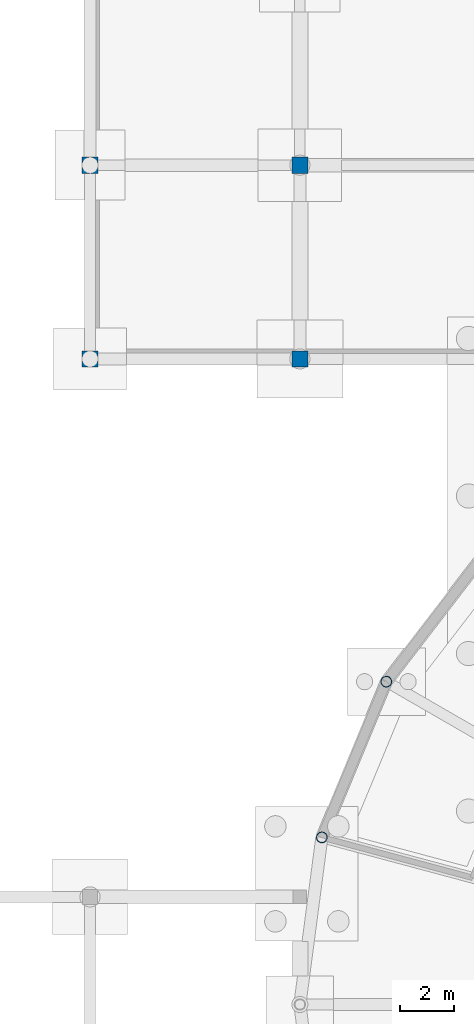
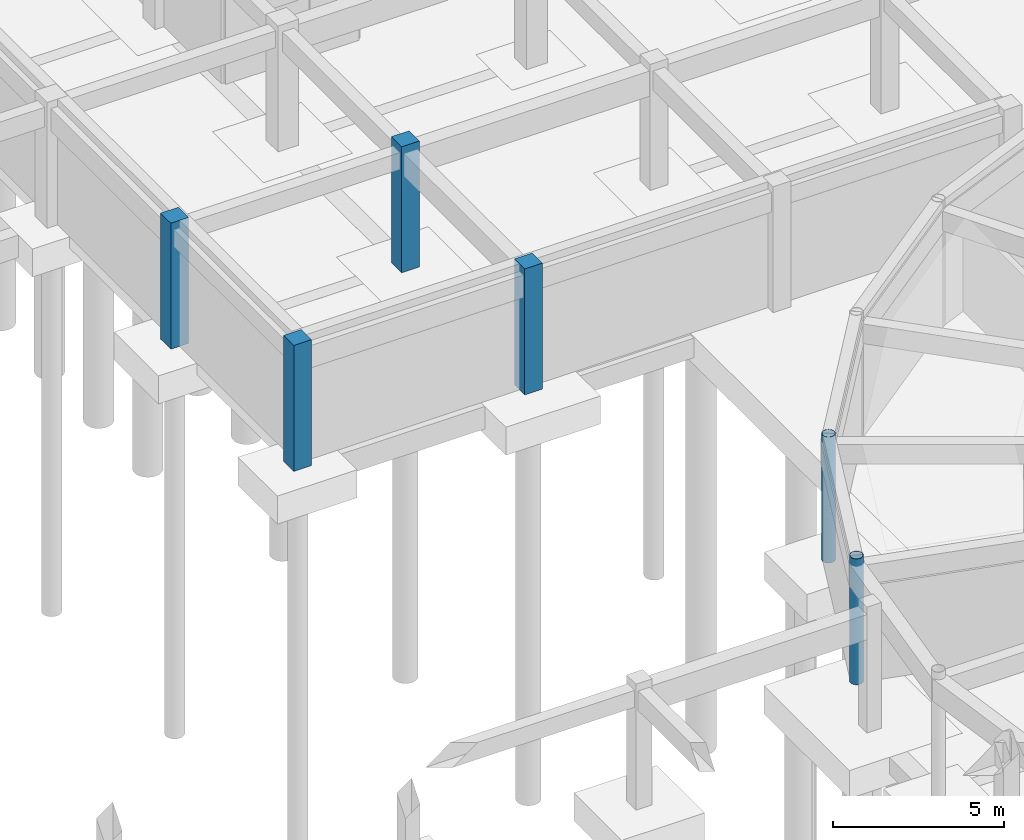
# One storey, part 17 of 43: 6 columns.
"""IFC4 building model written with IfcOpenShell, lengths in metres."""

from ifc_helpers import new_model, si_unit, derived_unit, direction, frame, origin, origin_2d, place, context, subcontext, project, spatial, rectangle, hollow_circle, extrude, material, material_profile, profile_set, type_object, element, save


model = new_model("IFC4")

# Units and contexts
model_context = context("Model", 3, precision=1e-05, world=origin(), true_north=direction((0.0, 1.0)))
body_context = subcontext(model_context, "Body", "Model", "MODEL_VIEW")
ifc_project = project(units=[si_unit("LENGTHUNIT", "METRE"), si_unit("AREAUNIT", "SQUARE_METRE"), si_unit("VOLUMEUNIT", "CUBIC_METRE"), si_unit("PLANEANGLEUNIT", "RADIAN"), si_unit("MASSUNIT", "GRAM", prefix="KILO"), derived_unit("THERMALTRANSMITTANCEUNIT", [(si_unit("POWERUNIT", "WATT"), 1), (si_unit("AREAUNIT", "SQUARE_METRE"), -1), (si_unit("THERMODYNAMICTEMPERATUREUNIT", "KELVIN"), -1)])], contexts=[model_context])

# Site, building, storey
site_placement = place(None, origin())
site = spatial("IfcSite", under=ifc_project, at=site_placement, CompositionType="ELEMENT")
building_placement = place(site_placement, origin())
building = spatial("IfcBuilding", under=site, at=building_placement, Name="Yasenodar Specialist Clinic", CompositionType="ELEMENT")
storey_placement = place(building_placement, frame((0.0, 0.0, -4.5)))
storey = spatial("IfcBuildingStorey", under=building, at=storey_placement, Name="B1", CompositionType="ELEMENT", Elevation=-4.5)

# Columns
ifc_material_1 = material(Name="Concrete C35/45", Category="concrete")
ifc_material_profile_1 = material_profile(ifc_material_1, rectangle(XDim=0.60009765625, YDim=0.60009765625, at=origin_2d()), Name="RC 600x600")
ifc_profile_set_1 = profile_set([ifc_material_profile_1], Name="Concrete C35/45")
column_type_1 = type_object("IfcColumnType", Name="COL-RC-600", PredefinedType="COLUMN", material=ifc_profile_set_1)
for number, where, z_axis, x_axis, name in (
    (1, (49.199951171875, 82.800048828125, 0.0), (0.0, 0.0, 1.0), (1.0, 0.0, 0.0), "B1 Column V5-081"),
    (2, (49.199951171875, 90.0, 0.0), (0.0, 0.0, 1.0), (1.0, 0.0, 0.0), "B1 Column V5-082"),
    (3, (57.0, 82.800048828125, 0.0), (0.0, 0.0, 1.0), (1.0, 0.0, 0.0), "B1 Column V5-088"),
    (4, (57.0, 90.0, 0.0), (0.0, 0.0, 1.0), (1.0, 0.0, 0.0), "B1 Column V5-089"),
):
    element("IfcColumn", number, at=place(storey_placement, frame(where, z_axis=z_axis, x_axis=x_axis)), inside=storey, type_object=column_type_1, Name=name, PredefinedType="COLUMN", context=body_context, shape_type="SweptSolid", body=[
        extrude(rectangle(XDim=0.60009765625, YDim=0.60009765625, at=origin_2d()), origin(), (0.0, 0.0, 1.0), 4.5),
    ])
ifc_material_2 = material(Name="Steel S355", Category="steel")
ifc_material_profile_2 = material_profile(ifc_material_2, hollow_circle(Radius=0.203125, WallThickness=0.01611328125, at=origin_2d()), Name="CHS 406.4x16")
ifc_profile_set_2 = profile_set([ifc_material_profile_2], Name="Steel S355")
column_type_2 = type_object("IfcColumnType", Name="COL-ST-CHS406", PredefinedType="COLUMN", material=ifc_profile_set_2)
for number, where, z_axis, x_axis, name in (
    (5, (60.21533203125, 70.800048828125, 0.0), (0.0, 0.0, 1.0), (1.0, 0.0, 0.0), "B1 Drum V1 Outer Column 11"),
    (6, (57.81787109375, 65.01171875, 0.0), (0.0, 0.0, 1.0), (1.0, 0.0, 0.0), "B1 Drum V1 Outer Column 12"),
):
    element("IfcColumn", number, at=place(storey_placement, frame(where, z_axis=z_axis, x_axis=x_axis)), inside=storey, type_object=column_type_2, Name=name, PredefinedType="COLUMN", context=body_context, shape_type="SweptSolid", body=[
        extrude(hollow_circle(Radius=0.203125, WallThickness=0.01611328125, at=origin_2d()), origin(), (0.0, 0.0, 1.0), 4.5),
    ])

save(model, "model.ifc")
